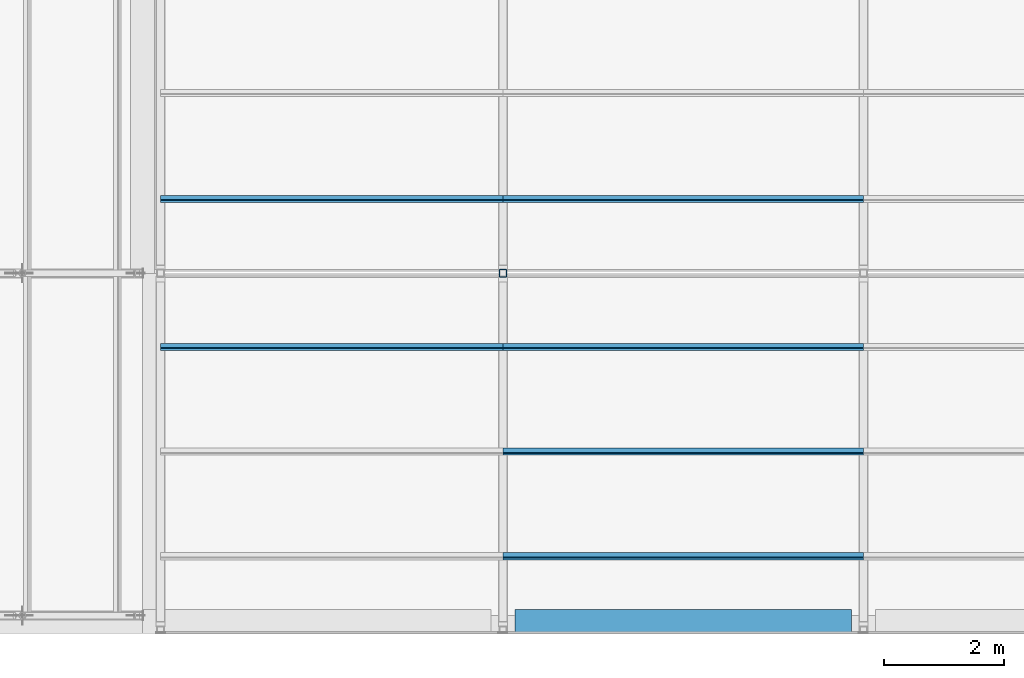
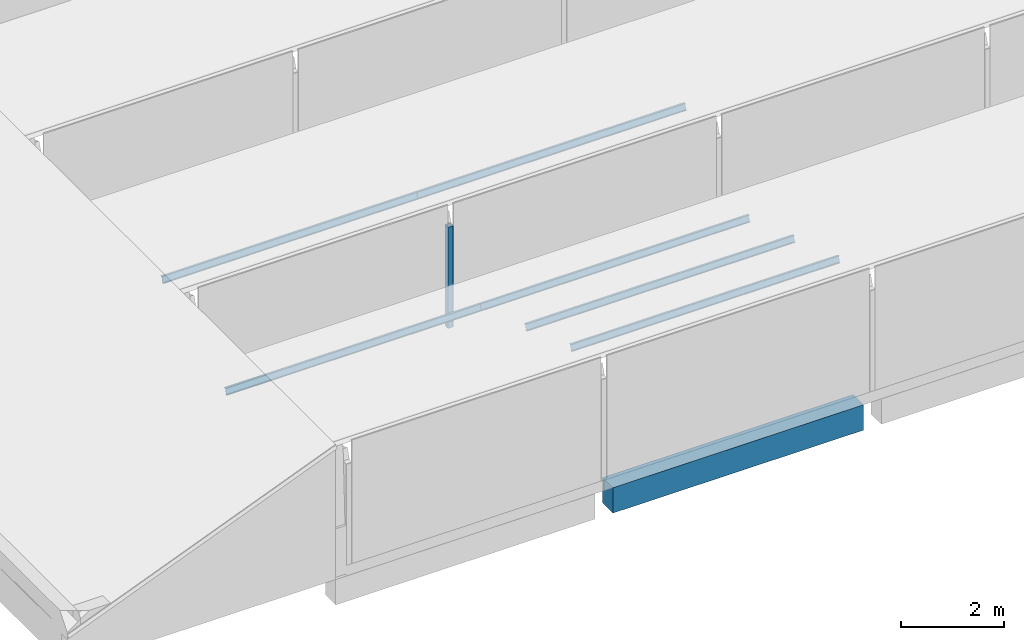
# One storey, part 3 of 118: 7 members, 1 beam.
"""IFC4 building model written with IfcOpenShell, lengths in metres."""

from ifc_helpers import new_model, si_unit, direction, frame, origin, origin_2d, place, context, subcontext, project, spatial, rectangle, hollow_rectangle, i_section, extrude, material, material_profile, profile_set, type_object, element, save


model = new_model("IFC4")

# Units and contexts
model_context = context("Model", 3, precision=1e-05, world=origin(), true_north=direction((0.0, 1.0)))
body_context = subcontext(model_context, "Body", "Model", "MODEL_VIEW")
ifc_project = project(units=[si_unit("LENGTHUNIT", "METRE"), si_unit("AREAUNIT", "SQUARE_METRE"), si_unit("VOLUMEUNIT", "CUBIC_METRE"), si_unit("PLANEANGLEUNIT", "RADIAN"), si_unit("MASSUNIT", "GRAM", prefix="KILO")], contexts=[model_context])

# Site, building, storey
site_placement = place(None, origin())
site = spatial("IfcSite", under=ifc_project, at=site_placement, CompositionType="ELEMENT")
building_placement = place(site_placement, origin())
building = spatial("IfcBuilding", under=site, at=building_placement, Name="Saffron Lane Theatres", CompositionType="ELEMENT")
storey_placement = place(building_placement, frame((0.0, 0.0, 16.5)))
storey = spatial("IfcBuildingStorey", under=building, at=storey_placement, Name="L03", CompositionType="ELEMENT", Elevation=16.5)

# Beam
ifc_material_1 = material(Name="Concrete N40 (40 MPa)", Category="concrete")
ifc_material_profile_1 = material_profile(ifc_material_1, rectangle(XDim=0.39990234375, YDim=0.60009765625, at=origin_2d()))
ifc_profile_set_1 = profile_set([ifc_material_profile_1], Name="Concrete N40 (40 MPa)")
beam_type = type_object("IfcBeamType", Name="RC-BEAM 400x600", PredefinedType="BEAM", material=ifc_profile_set_1)
beam_placement = place(storey_placement, frame((12.199951171875, 0.200439453125, -0.300048828125), z_axis=(1.0, 0.0, 0.0), x_axis=(0.0, 1.0, 0.0)))
element("IfcBeam", 1, at=beam_placement, inside=storey, type_object=beam_type, Name="beam-eaves-x0-124", PredefinedType="BEAM", context=body_context, shape_type="SweptSolid", body=[
    extrude(rectangle(XDim=0.39990234375, YDim=0.60009765625, at=origin_2d()), origin(), (0.0, 0.0, 1.0), 5.60009765625),
])

# Members
ifc_material_2 = material(Name="Steel Grade 350", Category="steel")
ifc_material_profile_2 = material_profile(ifc_material_2, hollow_rectangle(XDim=0.125, YDim=0.125, WallThickness=0.006103515625, InnerFilletRadius=0.0029296875, OuterFilletRadius=0.009033203125, at=origin_2d()))
ifc_profile_set_2 = profile_set([ifc_material_profile_2], Name="Steel Grade 350")
member_type_1 = type_object("IfcMemberType", Name="ST-STUDIO POST 125x125x6 SHS", PredefinedType="POST", material=ifc_profile_set_2)
member_1_placement = place(storey_placement, frame((12.0, 6.0, 0.25), z_axis=(0.0, 0.0, 1.0), x_axis=(1.0, 0.0, 0.0)))
element("IfcMember", 2, at=member_1_placement, inside=storey, type_object=member_type_1, Name="GBP12", PredefinedType="POST", context=body_context, shape_type="SweptSolid", body=[
    extrude(hollow_rectangle(XDim=0.125, YDim=0.125, WallThickness=0.006103515625, InnerFilletRadius=0.0029296875, OuterFilletRadius=0.009033203125, at=origin_2d()), origin(), (0.0, 0.0, 1.0), 2.388671875),
])
ifc_material_3 = material(Name="Steel Grade 350", Category="steel")
ifc_material_profile_3 = material_profile(ifc_material_3, i_section(OverallWidth=0.074951171875, OverallDepth=0.155029296875, WebThickness=0.006103515625, FlangeThickness=0.009521484375, FilletRadius=0.008056640625, at=origin_2d()))
ifc_profile_set_3 = profile_set([ifc_material_profile_3], Name="Steel Grade 350")
member_type_2 = type_object("IfcMemberType", Name="ST-STUDIO PURLIN 150UB18.0", PredefinedType="PURLIN", material=ifc_profile_set_3)
for number, where, z_axis, x_axis, name in (
    (3, (12.0, 1.28759765625, 2.60009765625), (1.0, 0.0, 0.0), (0.0, 0.949628648787, -0.313377455162), "GBU42"),
    (4, (12.0, 3.03125, 2.024658203125), (1.0, 0.0, 0.0), (0.0, 0.949628648787, -0.313377455162), "GBU46"),
):
    element("IfcMember", number, at=place(storey_placement, frame(where, z_axis=z_axis, x_axis=x_axis)), inside=storey, type_object=member_type_2, Name=name, PredefinedType="PURLIN", context=body_context, shape_type="SweptSolid", body=[
        extrude(i_section(OverallWidth=0.074951171875, OverallDepth=0.155029296875, WebThickness=0.006103515625, FlangeThickness=0.009521484375, FilletRadius=0.008056640625, at=origin_2d()), origin(), (0.0, 0.0, 1.0), 6.0),
    ])
member_2_placement = place(storey_placement, frame((6.300048828125, 4.77490234375, 1.44921875), z_axis=(1.0, 0.0, 0.0), x_axis=(0.0, 0.949628648787, -0.313377455162)))
element("IfcMember", 5, at=member_2_placement, inside=storey, type_object=member_type_2, Name="GBU49", PredefinedType="PURLIN", context=body_context, shape_type="SweptSolid", body=[
    extrude(i_section(OverallWidth=0.074951171875, OverallDepth=0.155029296875, WebThickness=0.006103515625, FlangeThickness=0.009521484375, FilletRadius=0.008056640625, at=origin_2d()), origin(), (0.0, 0.0, 1.0), 5.699951171875),
])
member_3_placement = place(storey_placement, frame((12.0, 4.77490234375, 1.44921875), z_axis=(1.0, 0.0, 0.0), x_axis=(0.0, 0.949628648787, -0.313377455162)))
element("IfcMember", 6, at=member_3_placement, inside=storey, type_object=member_type_2, Name="GBU50", PredefinedType="PURLIN", context=body_context, shape_type="SweptSolid", body=[
    extrude(i_section(OverallWidth=0.074951171875, OverallDepth=0.155029296875, WebThickness=0.006103515625, FlangeThickness=0.009521484375, FilletRadius=0.008056640625, at=origin_2d()), origin(), (0.0, 0.0, 1.0), 6.0),
])
member_4_placement = place(storey_placement, frame((6.300048828125, 7.237548828125, 2.595947265625), z_axis=(1.0, 0.0, 0.0), x_axis=(0.0, 0.949628648787, -0.313377455162)))
element("IfcMember", 7, at=member_4_placement, inside=storey, type_object=member_type_2, Name="GBU53", PredefinedType="PURLIN", context=body_context, shape_type="SweptSolid", body=[
    extrude(i_section(OverallWidth=0.074951171875, OverallDepth=0.155029296875, WebThickness=0.006103515625, FlangeThickness=0.009521484375, FilletRadius=0.008056640625, at=origin_2d()), origin(), (0.0, 0.0, 1.0), 5.699951171875),
])
member_5_placement = place(storey_placement, frame((12.0, 7.237548828125, 2.595947265625), z_axis=(1.0, 0.0, 0.0), x_axis=(0.0, 0.949628648787, -0.313377455162)))
element("IfcMember", 8, at=member_5_placement, inside=storey, type_object=member_type_2, Name="GBU54", PredefinedType="PURLIN", context=body_context, shape_type="SweptSolid", body=[
    extrude(i_section(OverallWidth=0.074951171875, OverallDepth=0.155029296875, WebThickness=0.006103515625, FlangeThickness=0.009521484375, FilletRadius=0.008056640625, at=origin_2d()), origin(), (0.0, 0.0, 1.0), 6.0),
])

save(model, "model.ifc")
